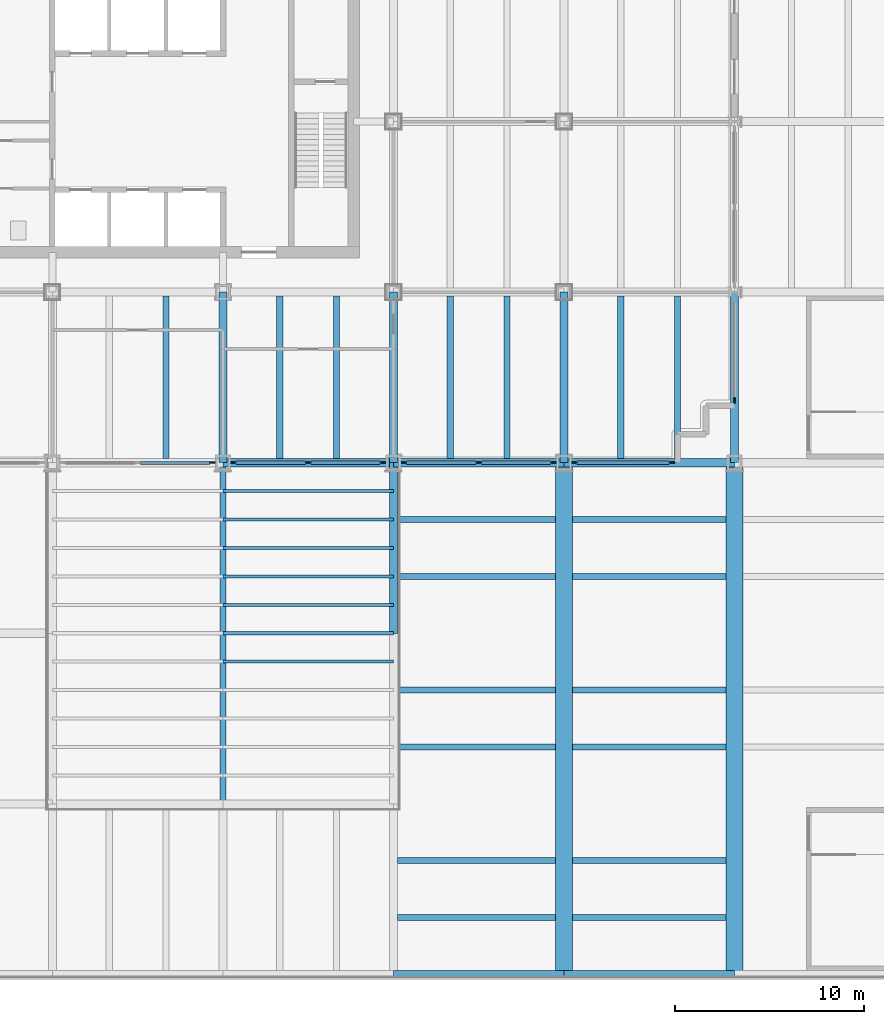
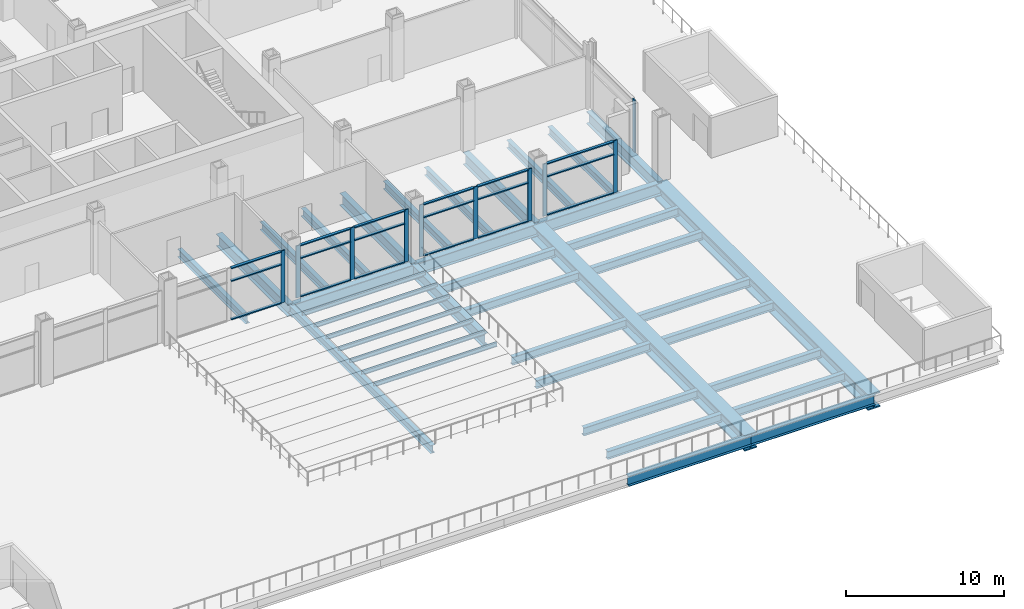
# One storey, part 3 of 16: 35 members, 32 beams, 5 elements without a shape of their own.
"""IFC4 building model written with IfcOpenShell, lengths in metres."""

from ifc_helpers import new_model, si_unit, direction, frame, origin, origin_2d, place, context, subcontext, project, spatial, rectangle, i_section, extrude, material, material_profile, profile_set, type_object, element, aggregate, save


model = new_model("IFC4")

# Units and contexts
model_context = context("Model", 3, precision=1e-05, world=origin(), true_north=direction((0.0, 1.0)))
body_context = subcontext(model_context, "Body", "Model", "MODEL_VIEW")
ifc_project = project(units=[si_unit("LENGTHUNIT", "METRE"), si_unit("AREAUNIT", "SQUARE_METRE"), si_unit("VOLUMEUNIT", "CUBIC_METRE"), si_unit("PLANEANGLEUNIT", "RADIAN"), si_unit("MASSUNIT", "GRAM", prefix="KILO")], contexts=[model_context])

# Site, building, storey
site_placement = place(None, origin())
site = spatial("IfcSite", under=ifc_project, at=site_placement, CompositionType="ELEMENT")
building_placement = place(site_placement, origin())
building = spatial("IfcBuilding", under=site, at=building_placement, Name="Loomwork Tower", CompositionType="ELEMENT")
storey_placement = place(building_placement, frame((0.0, 0.0, 23.0)))
storey = spatial("IfcBuildingStorey", under=building, at=storey_placement, Name="L04", CompositionType="ELEMENT", Elevation=23.0)

# Beams
ifc_material_1 = material(Name="Steel ASTM A572 Grade 50 plate", Category="steel")
ifc_material_profile_1 = material_profile(ifc_material_1, i_section(OverallWidth=0.89990234375, OverallDepth=1.179931640625, WebThickness=0.030029296875, FlangeThickness=0.10009765625, at=origin_2d()), Name="PG1180x900")
ifc_profile_set_1 = profile_set([ifc_material_profile_1], Name="Steel ASTM A572 Grade 50 plate")
beam_type_1 = type_object("IfcBeamType", Name="BALLROOM ROOF GIRDER PG1180x900", PredefinedType="BEAM", material=ifc_profile_set_1)
for number, where, z_axis, x_axis, name in (
    (1, (45.0, -27.0, -0.889892578125), (0.0, 1.0, 0.0), (-1.0, 0.0, 0.0), "Ballroom Roof Girder A/7-D/7 L04"),
    (2, (54.0, -27.0, -0.889892578125), (0.0, 1.0, 0.0), (-1.0, 0.0, 0.0), "Ballroom Roof Girder A/8-D/8 L04"),
):
    element("IfcBeam", number, at=place(storey_placement, frame(where, z_axis=z_axis, x_axis=x_axis)), inside=storey, type_object=beam_type_1, Name=name, PredefinedType="BEAM", context=body_context, shape_type="SweptSolid", body=[
        extrude(i_section(OverallWidth=0.89990234375, OverallDepth=1.179931640625, WebThickness=0.030029296875, FlangeThickness=0.10009765625, at=origin_2d()), origin(), (0.0, 0.0, 1.0), 27.0),
    ])
ifc_material_2 = material(Name="Steel ASTM A992", Category="steel")
ifc_material_profile_2 = material_profile(ifc_material_2, i_section(OverallWidth=0.381103515625, OverallDepth=0.77978515625, WebThickness=0.01806640625, FlangeThickness=0.0302734375, at=origin_2d()), Name="W30x191")
ifc_profile_set_2 = profile_set([ifc_material_profile_2], Name="Steel ASTM A992")
beam_type_2 = type_object("IfcBeamType", Name="EDGE GIRDER W30x191", PredefinedType="BEAM", material=ifc_profile_set_2)
for number, where, z_axis, x_axis, name in (
    (3, (36.0, -27.0, -0.68994140625), (1.0, 0.0, 0.0), (0.0, 1.0, 0.0), "Edge Girder A/6-A/7 L04"),
    (4, (45.0, -27.0, -0.68994140625), (1.0, 0.0, 0.0), (0.0, 1.0, 0.0), "Edge Girder A/7-A/8 L04"),
):
    element("IfcBeam", number, at=place(storey_placement, frame(where, z_axis=z_axis, x_axis=x_axis)), inside=storey, type_object=beam_type_2, Name=name, PredefinedType="BEAM", context=body_context, shape_type="SweptSolid", body=[
        extrude(i_section(OverallWidth=0.381103515625, OverallDepth=0.77978515625, WebThickness=0.01806640625, FlangeThickness=0.0302734375, at=origin_2d()), origin(), (0.0, 0.0, 1.0), 9.0),
    ])
ifc_material_3 = material(Name="Steel ASTM A992", Category="steel")
ifc_material_profile_3 = material_profile(ifc_material_3, i_section(OverallWidth=0.3251953125, OverallDepth=0.612060546875, WebThickness=0.0126953125, FlangeThickness=0.01904296875, at=origin_2d()), Name="W24x104")
ifc_profile_set_3 = profile_set([ifc_material_profile_3], Name="Steel ASTM A992")
beam_type_3 = type_object("IfcBeamType", Name="FLOOR JOIST W24x104", PredefinedType="JOIST", material=ifc_profile_set_3)
for number, where, z_axis, x_axis, name in (
    (5, (24.0, 0.2119140625, -0.60595703125), (0.0, 1.0, 0.0), (-1.0, 0.0, 0.0), "Floor Joist 24.000,0.000-24.000,9.000 L04"),
    (6, (30.0, 0.2119140625, -0.60595703125), (0.0, 1.0, 0.0), (-1.0, 0.0, 0.0), "Floor Joist 30.000,0.000-30.000,9.000 L04"),
    (7, (33.0, 0.2119140625, -0.60595703125), (0.0, 1.0, 0.0), (-1.0, 0.0, 0.0), "Floor Joist 33.000,0.000-33.000,9.000 L04"),
):
    element("IfcBeam", number, at=place(storey_placement, frame(where, z_axis=z_axis, x_axis=x_axis)), inside=storey, type_object=beam_type_3, Name=name, PredefinedType="JOIST", context=body_context, shape_type="SweptSolid", body=[
        extrude(i_section(OverallWidth=0.3251953125, OverallDepth=0.612060546875, WebThickness=0.0126953125, FlangeThickness=0.01904296875, at=origin_2d()), origin(), (0.0, 0.0, 1.0), 8.576171875),
    ])
for number, where, z_axis, x_axis, name in (
    (8, (36.2119140625, -24.0, -0.60595703125), (1.0, 0.0, 0.0), (0.0, 1.0, 0.0), "Floor Joist 36.000,-24.000-45.000,-24.000 L04"),
    (9, (36.2119140625, -21.0, -0.60595703125), (1.0, 0.0, 0.0), (0.0, 1.0, 0.0), "Floor Joist 36.000,-21.000-45.000,-21.000 L04"),
    (10, (36.2119140625, -15.0, -0.60595703125), (1.0, 0.0, 0.0), (0.0, 1.0, 0.0), "Floor Joist 36.000,-15.000-45.000,-15.000 L04"),
    (11, (36.2119140625, -12.0, -0.60595703125), (1.0, 0.0, 0.0), (0.0, 1.0, 0.0), "Floor Joist 36.000,-12.000-45.000,-12.000 L04"),
    (12, (36.2119140625, -6.0, -0.60595703125), (1.0, 0.0, 0.0), (0.0, 1.0, 0.0), "Floor Joist 36.000,-6.000-45.000,-6.000 L04"),
    (13, (36.2119140625, -3.0, -0.60595703125), (1.0, 0.0, 0.0), (0.0, 1.0, 0.0), "Floor Joist 36.000,-3.000-45.000,-3.000 L04"),
):
    element("IfcBeam", number, at=place(storey_placement, frame(where, z_axis=z_axis, x_axis=x_axis)), inside=storey, type_object=beam_type_3, Name=name, PredefinedType="JOIST", context=body_context, shape_type="SweptSolid", body=[
        extrude(i_section(OverallWidth=0.3251953125, OverallDepth=0.612060546875, WebThickness=0.0126953125, FlangeThickness=0.01904296875, at=origin_2d()), origin(), (0.0, 0.0, 1.0), 8.338134765625),
    ])
for number, where, z_axis, x_axis, name in (
    (14, (39.0, 0.2119140625, -0.60595703125), (0.0, 1.0, 0.0), (-1.0, 0.0, 0.0), "Floor Joist 39.000,0.000-39.000,9.000 L04"),
    (15, (42.0, 0.2119140625, -0.60595703125), (0.0, 1.0, 0.0), (-1.0, 0.0, 0.0), "Floor Joist 42.000,0.000-42.000,9.000 L04"),
):
    element("IfcBeam", number, at=place(storey_placement, frame(where, z_axis=z_axis, x_axis=x_axis)), inside=storey, type_object=beam_type_3, Name=name, PredefinedType="JOIST", context=body_context, shape_type="SweptSolid", body=[
        extrude(i_section(OverallWidth=0.3251953125, OverallDepth=0.612060546875, WebThickness=0.0126953125, FlangeThickness=0.01904296875, at=origin_2d()), origin(), (0.0, 0.0, 1.0), 8.576171875),
    ])
for number, where, z_axis, x_axis, name in (
    (16, (45.449951171875, -24.0, -0.60595703125), (1.0, 0.0, 0.0), (0.0, 1.0, 0.0), "Floor Joist 45.000,-24.000-54.000,-24.000 L04"),
    (17, (45.449951171875, -21.0, -0.60595703125), (1.0, 0.0, 0.0), (0.0, 1.0, 0.0), "Floor Joist 45.000,-21.000-54.000,-21.000 L04"),
    (18, (45.449951171875, -15.0, -0.60595703125), (1.0, 0.0, 0.0), (0.0, 1.0, 0.0), "Floor Joist 45.000,-15.000-54.000,-15.000 L04"),
    (19, (45.449951171875, -12.0, -0.60595703125), (1.0, 0.0, 0.0), (0.0, 1.0, 0.0), "Floor Joist 45.000,-12.000-54.000,-12.000 L04"),
    (20, (45.449951171875, -6.0, -0.60595703125), (1.0, 0.0, 0.0), (0.0, 1.0, 0.0), "Floor Joist 45.000,-6.000-54.000,-6.000 L04"),
    (21, (45.449951171875, -3.0, -0.60595703125), (1.0, 0.0, 0.0), (0.0, 1.0, 0.0), "Floor Joist 45.000,-3.000-54.000,-3.000 L04"),
):
    element("IfcBeam", number, at=place(storey_placement, frame(where, z_axis=z_axis, x_axis=x_axis)), inside=storey, type_object=beam_type_3, Name=name, PredefinedType="JOIST", context=body_context, shape_type="SweptSolid", body=[
        extrude(i_section(OverallWidth=0.3251953125, OverallDepth=0.612060546875, WebThickness=0.0126953125, FlangeThickness=0.01904296875, at=origin_2d()), origin(), (0.0, 0.0, 1.0), 8.10009765625),
    ])
for number, where, z_axis, x_axis, name in (
    (22, (48.0, 0.2119140625, -0.60595703125), (0.0, 1.0, 0.0), (-1.0, 0.0, 0.0), "Floor Joist 48.000,0.000-48.000,9.000 L04"),
    (23, (51.0, 0.2119140625, -0.60595703125), (0.0, 1.0, 0.0), (-1.0, 0.0, 0.0), "Floor Joist 51.000,0.000-51.000,9.000 L04"),
):
    element("IfcBeam", number, at=place(storey_placement, frame(where, z_axis=z_axis, x_axis=x_axis)), inside=storey, type_object=beam_type_3, Name=name, PredefinedType="JOIST", context=body_context, shape_type="SweptSolid", body=[
        extrude(i_section(OverallWidth=0.3251953125, OverallDepth=0.612060546875, WebThickness=0.0126953125, FlangeThickness=0.01904296875, at=origin_2d()), origin(), (0.0, 0.0, 1.0), 8.576171875),
    ])
ifc_material_4 = material(Name="Steel ASTM A992", Category="steel")
ifc_material_profile_4 = material_profile(ifc_material_4, i_section(OverallWidth=0.3251953125, OverallDepth=0.612060546875, WebThickness=0.0126953125, FlangeThickness=0.01904296875, at=origin_2d()), Name="W24x104")
ifc_profile_set_4 = profile_set([ifc_material_profile_4], Name="Steel ASTM A992")
beam_type_4 = type_object("IfcBeamType", Name="SKYLIGHT GIRDER W24x104", PredefinedType="BEAM", material=ifc_profile_set_4)
beam_placement = place(storey_placement, frame((27.0, -18.0, -0.60595703125), z_axis=(0.0, 1.0, 0.0), x_axis=(-1.0, 0.0, 0.0)))
element("IfcBeam", 24, at=beam_placement, inside=storey, type_object=beam_type_4, Name="Skylight girder grid 5", PredefinedType="BEAM", context=body_context, shape_type="SweptSolid", body=[
    extrude(i_section(OverallWidth=0.3251953125, OverallDepth=0.612060546875, WebThickness=0.0126953125, FlangeThickness=0.01904296875, at=origin_2d()), origin(), (0.0, 0.0, 1.0), 18.0),
])

# Members
ifc_material_5 = material(Name="Steel ASTM A992", Category="steel")
ifc_material_profile_5 = material_profile(ifc_material_5, i_section(OverallWidth=0.164794921875, OverallDepth=0.309814453125, WebThickness=0.005859375, FlangeThickness=0.009765625, at=origin_2d()), Name="W12x26")
ifc_profile_set_5 = profile_set([ifc_material_profile_5], Name="Steel ASTM A992")
member_type_1 = type_object("IfcMemberType", Name="SKYLIGHT PURLIN W12x26", PredefinedType="PURLIN", material=ifc_profile_set_5)
for number, where, z_axis, x_axis, name in (
    (25, (27.0, -10.5, -0.18701171875), (1.0, 0.0, 0.0), (0.0, 1.0, 0.0), "Skylight purlin 5"),
    (26, (27.0, -9.0, -0.18701171875), (1.0, 0.0, 0.0), (0.0, 1.0, 0.0), "Skylight purlin 6"),
    (27, (27.0, -7.5, -0.18701171875), (1.0, 0.0, 0.0), (0.0, 1.0, 0.0), "Skylight purlin 7"),
    (28, (27.0, -6.0, -0.18701171875), (1.0, 0.0, 0.0), (0.0, 1.0, 0.0), "Skylight purlin 8"),
    (29, (27.0, -4.5, -0.18701171875), (1.0, 0.0, 0.0), (0.0, 1.0, 0.0), "Skylight purlin 9"),
    (30, (27.0, -3.0, -0.18701171875), (1.0, 0.0, 0.0), (0.0, 1.0, 0.0), "Skylight purlin 10"),
    (31, (27.0, -1.5, -0.18701171875), (1.0, 0.0, 0.0), (0.0, 1.0, 0.0), "Skylight purlin 11"),
):
    element("IfcMember", number, at=place(storey_placement, frame(where, z_axis=z_axis, x_axis=x_axis)), inside=storey, type_object=member_type_1, Name=name, PredefinedType="PURLIN", context=body_context, shape_type="SweptSolid", body=[
        extrude(i_section(OverallWidth=0.164794921875, OverallDepth=0.309814453125, WebThickness=0.005859375, FlangeThickness=0.009765625, at=origin_2d()), origin(), (0.0, 0.0, 1.0), 9.0),
    ])

# Curtain wall, member
ifc_material_6 = material(Name="Aluminium curtain wall frame", Category="aluminium")
curtain_wall_type = type_object("IfcCurtainWallType", Name="Sky lobby glazing", PredefinedType="NOTDEFINED", material=ifc_material_6)
curtain_wall_1_placement = place(storey_placement, origin())
curtain_wall_1 = element("IfcCurtainWall", 32, at=curtain_wall_1_placement, inside=storey, type_object=curtain_wall_type, Name="Sky lobby glazing cw/S-18", PredefinedType="NOTDEFINED")
ifc_material_7 = material(Name="Aluminium curtain wall frame", Category="aluminium")
ifc_material_profile_6 = material_profile(ifc_material_7, rectangle(XDim=0.080078125, YDim=0.300048828125, at=origin_2d()), Name="AL 80x300")
ifc_profile_set_6 = profile_set([ifc_material_profile_6], Name="Aluminium curtain wall frame")
member_type_2 = type_object("IfcMemberType", Name="Sky lobby glazing mullion", PredefinedType="MULLION", material=ifc_profile_set_6)
member_1_placement = place(storey_placement, frame((26.449951171875, 0.0, 0.0), z_axis=(0.0, 0.0, 1.0), x_axis=(0.0, 1.0, 0.0)))
member_1 = element("IfcMember", 33, at=member_1_placement, type_object=member_type_2, Name="CW6 mullion 3", PredefinedType="MULLION", context=body_context, shape_type="SweptSolid", body=[
    extrude(rectangle(XDim=0.080078125, YDim=0.300048828125, at=origin_2d()), origin(), (0.0, 0.0, 1.0), 4.020263671875),
])

# Curtain wall, members
curtain_wall_2_placement = place(storey_placement, origin())
curtain_wall_2 = element("IfcCurtainWall", 34, at=curtain_wall_2_placement, inside=storey, type_object=curtain_wall_type, Name="Sky lobby glazing cw/S-27", PredefinedType="NOTDEFINED")
member_2_placement = place(storey_placement, frame((27.550048828125, 0.0, 0.0), z_axis=(0.0, 0.0, 1.0), x_axis=(0.0, 1.0, 0.0)))
member_2 = element("IfcMember", 35, at=member_2_placement, type_object=member_type_2, Name="CW6 mullion 1", PredefinedType="MULLION", context=body_context, shape_type="SweptSolid", body=[
    extrude(rectangle(XDim=0.080078125, YDim=0.300048828125, at=origin_2d()), origin(), (0.0, 0.0, 1.0), 4.020263671875),
])
member_3_placement = place(storey_placement, frame((31.5, 0.0, 0.0), z_axis=(0.0, 0.0, 1.0), x_axis=(0.0, 1.0, 0.0)))
member_3 = element("IfcMember", 36, at=member_3_placement, type_object=member_type_2, Name="CW6 mullion 2", PredefinedType="MULLION", context=body_context, shape_type="SweptSolid", body=[
    extrude(rectangle(XDim=0.080078125, YDim=0.300048828125, at=origin_2d()), origin(), (0.0, 0.0, 1.0), 4.020263671875),
])
member_4_placement = place(storey_placement, frame((35.449951171875, 0.0, 0.0), z_axis=(0.0, 0.0, 1.0), x_axis=(0.0, 1.0, 0.0)))
member_4 = element("IfcMember", 37, at=member_4_placement, type_object=member_type_2, Name="CW6 mullion 3", PredefinedType="MULLION", context=body_context, shape_type="SweptSolid", body=[
    extrude(rectangle(XDim=0.080078125, YDim=0.300048828125, at=origin_2d()), origin(), (0.0, 0.0, 1.0), 4.020263671875),
])

curtain_wall_3_placement = place(storey_placement, origin())
curtain_wall_3 = element("IfcCurtainWall", 38, at=curtain_wall_3_placement, inside=storey, type_object=curtain_wall_type, Name="Sky lobby glazing cw/S-36", PredefinedType="NOTDEFINED")
member_5_placement = place(storey_placement, frame((36.550048828125, 0.0, 0.0), z_axis=(0.0, 0.0, 1.0), x_axis=(0.0, 1.0, 0.0)))
member_5 = element("IfcMember", 39, at=member_5_placement, type_object=member_type_2, Name="CW6 mullion 1", PredefinedType="MULLION", context=body_context, shape_type="SweptSolid", body=[
    extrude(rectangle(XDim=0.080078125, YDim=0.300048828125, at=origin_2d()), origin(), (0.0, 0.0, 1.0), 4.020263671875),
])
member_6_placement = place(storey_placement, frame((40.5, 0.0, 0.0), z_axis=(0.0, 0.0, 1.0), x_axis=(0.0, 1.0, 0.0)))
member_6 = element("IfcMember", 40, at=member_6_placement, type_object=member_type_2, Name="CW6 mullion 2", PredefinedType="MULLION", context=body_context, shape_type="SweptSolid", body=[
    extrude(rectangle(XDim=0.080078125, YDim=0.300048828125, at=origin_2d()), origin(), (0.0, 0.0, 1.0), 4.020263671875),
])
member_7_placement = place(storey_placement, frame((44.449951171875, 0.0, 0.0), z_axis=(0.0, 0.0, 1.0), x_axis=(0.0, 1.0, 0.0)))
member_7 = element("IfcMember", 41, at=member_7_placement, type_object=member_type_2, Name="CW6 mullion 3", PredefinedType="MULLION", context=body_context, shape_type="SweptSolid", body=[
    extrude(rectangle(XDim=0.080078125, YDim=0.300048828125, at=origin_2d()), origin(), (0.0, 0.0, 1.0), 4.020263671875),
])

curtain_wall_4_placement = place(storey_placement, origin())
curtain_wall_4 = element("IfcCurtainWall", 42, at=curtain_wall_4_placement, inside=storey, type_object=curtain_wall_type, Name="Sky lobby glazing cw/S-45", PredefinedType="NOTDEFINED")
member_8_placement = place(storey_placement, frame((45.550048828125, 0.0, 0.0), z_axis=(0.0, 0.0, 1.0), x_axis=(0.0, 1.0, 0.0)))
member_8 = element("IfcMember", 43, at=member_8_placement, type_object=member_type_2, Name="CW6 mullion 1", PredefinedType="MULLION", context=body_context, shape_type="SweptSolid", body=[
    extrude(rectangle(XDim=0.080078125, YDim=0.300048828125, at=origin_2d()), origin(), (0.0, 0.0, 1.0), 4.020263671875),
])
member_9_placement = place(storey_placement, frame((50.699951171875, 0.0, 0.0), z_axis=(0.0, 0.0, 1.0), x_axis=(0.0, 1.0, 0.0)))
member_9 = element("IfcMember", 44, at=member_9_placement, type_object=member_type_2, Name="CW6 mullion 2", PredefinedType="MULLION", context=body_context, shape_type="SweptSolid", body=[
    extrude(rectangle(XDim=0.080078125, YDim=0.300048828125, at=origin_2d()), origin(), (0.0, 0.0, 1.0), 4.020263671875),
])

# Curtain wall, member
curtain_wall_5_placement = place(storey_placement, origin())
curtain_wall_5 = element("IfcCurtainWall", 45, at=curtain_wall_5_placement, inside=storey, type_object=curtain_wall_type, Name="Sky lobby glazing cw/E-0", PredefinedType="NOTDEFINED")
member_10_placement = place(storey_placement, frame((54.0, 3.300048828125, 0.0), z_axis=(0.0, 0.0, 1.0), x_axis=(-1.0, 0.0, 0.0)))
member_10 = element("IfcMember", 46, at=member_10_placement, type_object=member_type_2, Name="CW6 mullion 1", PredefinedType="MULLION", context=body_context, shape_type="SweptSolid", body=[
    extrude(rectangle(XDim=0.080078125, YDim=0.300048828125, at=origin_2d()), origin(), (0.0, 0.0, 1.0), 4.020263671875),
])
aggregate(curtain_wall_5, [member_10])

# Member
ifc_material_8 = material(Name="Aluminium curtain wall frame", Category="aluminium")
ifc_material_profile_7 = material_profile(ifc_material_8, rectangle(XDim=0.199951171875, YDim=0.080078125, at=origin_2d()), Name="AL 80x200")
ifc_profile_set_7 = profile_set([ifc_material_profile_7], Name="Aluminium curtain wall frame")
member_type_3 = type_object("IfcMemberType", Name="Sky lobby glazing transom", PredefinedType="USERDEFINED", material=ifc_profile_set_7)
member_11_placement = place(storey_placement, frame((22.64990234375, 0.0, 0.0400390625), z_axis=(1.0, 0.0, 0.0), x_axis=(0.0, 1.0, 0.0)))
member_11 = element("IfcMember", 47, at=member_11_placement, type_object=member_type_3, Name="CW6 transom 2.1", ObjectType="TRANSOM", PredefinedType="USERDEFINED", context=body_context, shape_type="SweptSolid", body=[
    extrude(rectangle(XDim=0.199951171875, YDim=0.080078125, at=origin_2d()), origin(), (0.0, 0.0, 1.0), 3.650146484375),
])

member_12_placement = place(storey_placement, frame((22.64990234375, 0.0, 3.0), z_axis=(1.0, 0.0, 0.0), x_axis=(0.0, 1.0, 0.0)))
member_12 = element("IfcMember", 48, at=member_12_placement, type_object=member_type_3, Name="CW6 transom 2.2", ObjectType="TRANSOM", PredefinedType="USERDEFINED", context=body_context, shape_type="SweptSolid", body=[
    extrude(rectangle(XDim=0.199951171875, YDim=0.080078125, at=origin_2d()), origin(), (0.0, 0.0, 1.0), 3.650146484375),
])

member_13_placement = place(storey_placement, frame((22.64990234375, 0.0, 3.980224609375), z_axis=(1.0, 0.0, 0.0), x_axis=(0.0, 1.0, 0.0)))
member_13 = element("IfcMember", 49, at=member_13_placement, type_object=member_type_3, Name="CW6 transom 2.3", ObjectType="TRANSOM", PredefinedType="USERDEFINED", context=body_context, shape_type="SweptSolid", body=[
    extrude(rectangle(XDim=0.199951171875, YDim=0.080078125, at=origin_2d()), origin(), (0.0, 0.0, 1.0), 3.650146484375),
])

aggregate(curtain_wall_1, [member_1, member_11, member_12, member_13])

member_14_placement = place(storey_placement, frame((27.699951171875, 0.0, 0.0400390625), z_axis=(1.0, 0.0, 0.0), x_axis=(0.0, 1.0, 0.0)))
member_14 = element("IfcMember", 50, at=member_14_placement, type_object=member_type_3, Name="CW6 transom 1.1", ObjectType="TRANSOM", PredefinedType="USERDEFINED", context=body_context, shape_type="SweptSolid", body=[
    extrude(rectangle(XDim=0.199951171875, YDim=0.080078125, at=origin_2d()), origin(), (0.0, 0.0, 1.0), 3.650146484375),
])

member_15_placement = place(storey_placement, frame((27.699951171875, 0.0, 3.0), z_axis=(1.0, 0.0, 0.0), x_axis=(0.0, 1.0, 0.0)))
member_15 = element("IfcMember", 51, at=member_15_placement, type_object=member_type_3, Name="CW6 transom 1.2", ObjectType="TRANSOM", PredefinedType="USERDEFINED", context=body_context, shape_type="SweptSolid", body=[
    extrude(rectangle(XDim=0.199951171875, YDim=0.080078125, at=origin_2d()), origin(), (0.0, 0.0, 1.0), 3.650146484375),
])

member_16_placement = place(storey_placement, frame((27.699951171875, 0.0, 3.980224609375), z_axis=(1.0, 0.0, 0.0), x_axis=(0.0, 1.0, 0.0)))
member_16 = element("IfcMember", 52, at=member_16_placement, type_object=member_type_3, Name="CW6 transom 1.3", ObjectType="TRANSOM", PredefinedType="USERDEFINED", context=body_context, shape_type="SweptSolid", body=[
    extrude(rectangle(XDim=0.199951171875, YDim=0.080078125, at=origin_2d()), origin(), (0.0, 0.0, 1.0), 3.650146484375),
])

member_17_placement = place(storey_placement, frame((31.64990234375, 0.0, 0.0400390625), z_axis=(1.0, 0.0, 0.0), x_axis=(0.0, 1.0, 0.0)))
member_17 = element("IfcMember", 53, at=member_17_placement, type_object=member_type_3, Name="CW6 transom 2.1", ObjectType="TRANSOM", PredefinedType="USERDEFINED", context=body_context, shape_type="SweptSolid", body=[
    extrude(rectangle(XDim=0.199951171875, YDim=0.080078125, at=origin_2d()), origin(), (0.0, 0.0, 1.0), 3.650146484375),
])

member_18_placement = place(storey_placement, frame((31.64990234375, 0.0, 3.0), z_axis=(1.0, 0.0, 0.0), x_axis=(0.0, 1.0, 0.0)))
member_18 = element("IfcMember", 54, at=member_18_placement, type_object=member_type_3, Name="CW6 transom 2.2", ObjectType="TRANSOM", PredefinedType="USERDEFINED", context=body_context, shape_type="SweptSolid", body=[
    extrude(rectangle(XDim=0.199951171875, YDim=0.080078125, at=origin_2d()), origin(), (0.0, 0.0, 1.0), 3.650146484375),
])

member_19_placement = place(storey_placement, frame((31.64990234375, 0.0, 3.980224609375), z_axis=(1.0, 0.0, 0.0), x_axis=(0.0, 1.0, 0.0)))
member_19 = element("IfcMember", 55, at=member_19_placement, type_object=member_type_3, Name="CW6 transom 2.3", ObjectType="TRANSOM", PredefinedType="USERDEFINED", context=body_context, shape_type="SweptSolid", body=[
    extrude(rectangle(XDim=0.199951171875, YDim=0.080078125, at=origin_2d()), origin(), (0.0, 0.0, 1.0), 3.650146484375),
])

aggregate(curtain_wall_2, [member_2, member_3, member_4, member_14, member_15, member_16, member_17, member_18, member_19])

member_20_placement = place(storey_placement, frame((36.699951171875, 0.0, 0.0400390625), z_axis=(1.0, 0.0, 0.0), x_axis=(0.0, 1.0, 0.0)))
member_20 = element("IfcMember", 56, at=member_20_placement, type_object=member_type_3, Name="CW6 transom 1.1", ObjectType="TRANSOM", PredefinedType="USERDEFINED", context=body_context, shape_type="SweptSolid", body=[
    extrude(rectangle(XDim=0.199951171875, YDim=0.080078125, at=origin_2d()), origin(), (0.0, 0.0, 1.0), 3.650146484375),
])

member_21_placement = place(storey_placement, frame((36.699951171875, 0.0, 3.0), z_axis=(1.0, 0.0, 0.0), x_axis=(0.0, 1.0, 0.0)))
member_21 = element("IfcMember", 57, at=member_21_placement, type_object=member_type_3, Name="CW6 transom 1.2", ObjectType="TRANSOM", PredefinedType="USERDEFINED", context=body_context, shape_type="SweptSolid", body=[
    extrude(rectangle(XDim=0.199951171875, YDim=0.080078125, at=origin_2d()), origin(), (0.0, 0.0, 1.0), 3.650146484375),
])

member_22_placement = place(storey_placement, frame((36.699951171875, 0.0, 3.980224609375), z_axis=(1.0, 0.0, 0.0), x_axis=(0.0, 1.0, 0.0)))
member_22 = element("IfcMember", 58, at=member_22_placement, type_object=member_type_3, Name="CW6 transom 1.3", ObjectType="TRANSOM", PredefinedType="USERDEFINED", context=body_context, shape_type="SweptSolid", body=[
    extrude(rectangle(XDim=0.199951171875, YDim=0.080078125, at=origin_2d()), origin(), (0.0, 0.0, 1.0), 3.650146484375),
])

member_23_placement = place(storey_placement, frame((40.64990234375, 0.0, 0.0400390625), z_axis=(1.0, 0.0, 0.0), x_axis=(0.0, 1.0, 0.0)))
member_23 = element("IfcMember", 59, at=member_23_placement, type_object=member_type_3, Name="CW6 transom 2.1", ObjectType="TRANSOM", PredefinedType="USERDEFINED", context=body_context, shape_type="SweptSolid", body=[
    extrude(rectangle(XDim=0.199951171875, YDim=0.080078125, at=origin_2d()), origin(), (0.0, 0.0, 1.0), 3.650146484375),
])

member_24_placement = place(storey_placement, frame((40.64990234375, 0.0, 3.0), z_axis=(1.0, 0.0, 0.0), x_axis=(0.0, 1.0, 0.0)))
member_24 = element("IfcMember", 60, at=member_24_placement, type_object=member_type_3, Name="CW6 transom 2.2", ObjectType="TRANSOM", PredefinedType="USERDEFINED", context=body_context, shape_type="SweptSolid", body=[
    extrude(rectangle(XDim=0.199951171875, YDim=0.080078125, at=origin_2d()), origin(), (0.0, 0.0, 1.0), 3.650146484375),
])

member_25_placement = place(storey_placement, frame((40.64990234375, 0.0, 3.980224609375), z_axis=(1.0, 0.0, 0.0), x_axis=(0.0, 1.0, 0.0)))
member_25 = element("IfcMember", 61, at=member_25_placement, type_object=member_type_3, Name="CW6 transom 2.3", ObjectType="TRANSOM", PredefinedType="USERDEFINED", context=body_context, shape_type="SweptSolid", body=[
    extrude(rectangle(XDim=0.199951171875, YDim=0.080078125, at=origin_2d()), origin(), (0.0, 0.0, 1.0), 3.650146484375),
])

aggregate(curtain_wall_3, [member_5, member_6, member_7, member_20, member_21, member_22, member_23, member_24, member_25])

member_26_placement = place(storey_placement, frame((45.699951171875, 0.0, 0.0400390625), z_axis=(1.0, 0.0, 0.0), x_axis=(0.0, 1.0, 0.0)))
member_26 = element("IfcMember", 62, at=member_26_placement, type_object=member_type_3, Name="CW6 transom 1.1", ObjectType="TRANSOM", PredefinedType="USERDEFINED", context=body_context, shape_type="SweptSolid", body=[
    extrude(rectangle(XDim=0.199951171875, YDim=0.080078125, at=origin_2d()), origin(), (0.0, 0.0, 1.0), 4.85009765625),
])

member_27_placement = place(storey_placement, frame((45.699951171875, 0.0, 3.0), z_axis=(1.0, 0.0, 0.0), x_axis=(0.0, 1.0, 0.0)))
member_27 = element("IfcMember", 63, at=member_27_placement, type_object=member_type_3, Name="CW6 transom 1.2", ObjectType="TRANSOM", PredefinedType="USERDEFINED", context=body_context, shape_type="SweptSolid", body=[
    extrude(rectangle(XDim=0.199951171875, YDim=0.080078125, at=origin_2d()), origin(), (0.0, 0.0, 1.0), 4.85009765625),
])

member_28_placement = place(storey_placement, frame((45.699951171875, 0.0, 3.980224609375), z_axis=(1.0, 0.0, 0.0), x_axis=(0.0, 1.0, 0.0)))
member_28 = element("IfcMember", 64, at=member_28_placement, type_object=member_type_3, Name="CW6 transom 1.3", ObjectType="TRANSOM", PredefinedType="USERDEFINED", context=body_context, shape_type="SweptSolid", body=[
    extrude(rectangle(XDim=0.199951171875, YDim=0.080078125, at=origin_2d()), origin(), (0.0, 0.0, 1.0), 4.85009765625),
])

aggregate(curtain_wall_4, [member_8, member_9, member_26, member_27, member_28])

# Beams
ifc_material_9 = material(Name="Steel ASTM A992", Category="steel")
ifc_material_profile_8 = material_profile(ifc_material_9, i_section(OverallWidth=0.424072265625, OverallDepth=0.947509765625, WebThickness=0.02392578125, FlangeThickness=0.042724609375, at=origin_2d()), Name="W36x302")
ifc_profile_set_8 = profile_set([ifc_material_profile_8], Name="Steel ASTM A992")
beam_type_5 = type_object("IfcBeamType", Name="TRANSFER FLOOR GIRDER W36x302", PredefinedType="BEAM", material=ifc_profile_set_8)
for number, where, z_axis, x_axis, name in (
    (65, (27.0, 0.0, -0.773681640625), (1.0, 0.0, 0.0), (0.0, 1.0, 0.0), "Transfer Floor Girder D/5-D/6 L04"),
    (66, (36.0, 0.0, -0.773681640625), (1.0, 0.0, 0.0), (0.0, 1.0, 0.0), "Transfer Floor Girder D/6-D/7 L04"),
    (67, (45.0, 0.0, -0.773681640625), (1.0, 0.0, 0.0), (0.0, 1.0, 0.0), "Transfer Floor Girder D/7-D/8 L04"),
    (68, (27.0, 0.0, -0.773681640625), (0.0, 1.0, 0.0), (-1.0, 0.0, 0.0), "Transfer Floor Girder D/5-E/5 L04"),
    (69, (36.0, -9.0, -0.773681640625), (0.0, 1.0, 0.0), (-1.0, 0.0, 0.0), "Transfer Floor Girder C/6-D/6 L04"),
    (70, (36.0, 0.0, -0.773681640625), (0.0, 1.0, 0.0), (-1.0, 0.0, 0.0), "Transfer Floor Girder D/6-E/6 L04"),
    (71, (45.0, 0.0, -0.773681640625), (0.0, 1.0, 0.0), (-1.0, 0.0, 0.0), "Transfer Floor Girder D/7-E/7 L04"),
    (72, (54.0, 0.0, -0.773681640625), (0.0, 1.0, 0.0), (-1.0, 0.0, 0.0), "Transfer Floor Girder D/8-E/8 L04"),
):
    element("IfcBeam", number, at=place(storey_placement, frame(where, z_axis=z_axis, x_axis=x_axis)), inside=storey, type_object=beam_type_5, Name=name, PredefinedType="BEAM", context=body_context, shape_type="SweptSolid", body=[
        extrude(i_section(OverallWidth=0.424072265625, OverallDepth=0.947509765625, WebThickness=0.02392578125, FlangeThickness=0.042724609375, at=origin_2d()), origin(), (0.0, 0.0, 1.0), 9.0),
    ])

save(model, "model.ifc")
